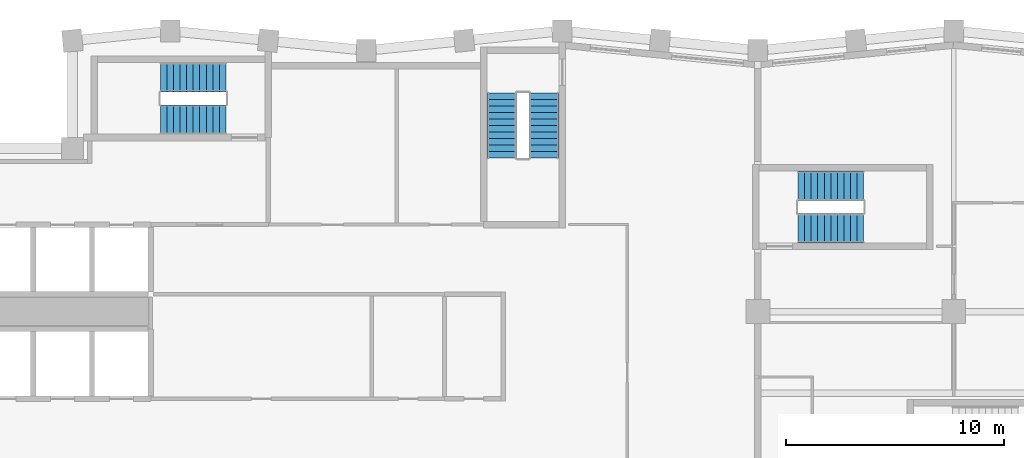
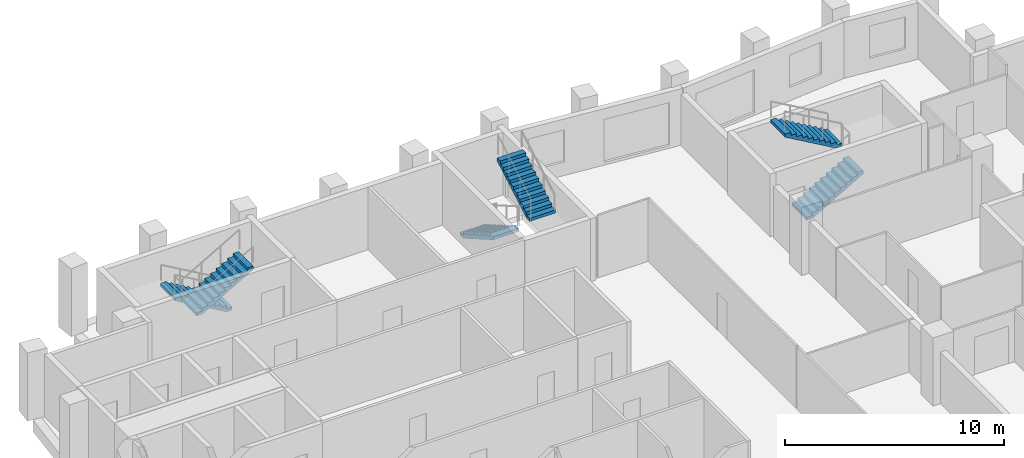
# One storey, part 7 of 8: 6 stair flights, 3 elements without a shape of their own.
"""IFC4 building model written with IfcOpenShell, lengths in metres."""

from ifc_helpers import new_model, si_unit, direction, frame, origin, place, context, subcontext, project, spatial, polyline, outline, extrude, material, type_object, element, aggregate, save


model = new_model("IFC4")

# Units and contexts
model_context = context("Model", 3, precision=1e-05, world=origin(), true_north=direction((0.0, 1.0)))
body_context = subcontext(model_context, "Body", "Model", "MODEL_VIEW")
ifc_project = project(units=[si_unit("LENGTHUNIT", "METRE"), si_unit("AREAUNIT", "SQUARE_METRE"), si_unit("VOLUMEUNIT", "CUBIC_METRE"), si_unit("PLANEANGLEUNIT", "RADIAN"), si_unit("MASSUNIT", "GRAM", prefix="KILO")], contexts=[model_context])

# Site, building, storey
site_placement = place(None, origin())
site = spatial("IfcSite", under=ifc_project, at=site_placement, CompositionType="ELEMENT")
building_placement = place(site_placement, origin())
building = spatial("IfcBuilding", under=site, at=building_placement, Name="Brondeck Convention Tower", CompositionType="ELEMENT")
storey_placement = place(building_placement, frame((0.0, 0.0, 210.199951171875)))
storey = spatial("IfcBuildingStorey", under=building, at=storey_placement, Name="L51", CompositionType="ELEMENT", Elevation=210.199951171875)

# Stair, stair flights
ifc_material = material(Name="Precast concrete C50/60", Category="concrete")
stair_type = type_object("IfcStairType", Name="Core stair 22 risers 172.73 mm riser 300 mm going 1350 wide", PredefinedType="HALF_TURN_STAIR", material=ifc_material)
stair_1_placement = place(storey_placement, origin())
stair_1 = element("IfcStair", 1, at=stair_1_placement, inside=storey, type_object=stair_type, Name="ST-2 L51 stair", PredefinedType="HALF_TURN_STAIR")
stair_flight_type = type_object("IfcStairFlightType", Name="Core stair flight 22 risers 172.73 mm riser 300 mm going 1350 wide", PredefinedType="STRAIGHT", material=ifc_material)
stair_flight_1_placement = place(storey_placement, frame((24.22509765625, 61.050048828125, 0.0), z_axis=(0.0, 0.0, 1.0), x_axis=(0.0, -1.0, 0.0)))
stair_flight_1 = element("IfcStairFlight", 2, at=stair_flight_1_placement, type_object=stair_flight_type, Name="ST-2 flight 1", NumberOfRisers=11, NumberOfTreads=10, PredefinedType="STRAIGHT", RiserHeight=0.172727273, TreadLength=0.3, context=body_context, shape_type="SweptSolid", body=[
    extrude(outline(polyline([(0.0, 0.0), (0.0, 0.172607421875), (0.300048828125, 0.172607421875), (0.300048828125, 0.345458984375), (0.60009765625, 0.345458984375), (0.60009765625, 0.51806640625), (0.89990234375, 0.51806640625), (0.89990234375, 0.69091796875), (1.199951171875, 0.69091796875), (1.199951171875, 0.863525390625), (1.5, 0.863525390625), (1.5, 1.036376953125), (1.800048828125, 1.036376953125), (1.800048828125, 1.208984375), (2.10009765625, 1.208984375), (2.10009765625, 1.3818359375), (2.39990234375, 1.3818359375), (2.39990234375, 1.554443359375), (2.699951171875, 1.554443359375), (2.699951171875, 1.727294921875), (3.0, 1.727294921875), (3.0, 1.89990234375), (3.0, 1.55419921875), (0.300537109375, 0.0), (0.0, 0.0)])), frame((0.0, 0.675048828125, 0.0), z_axis=(0.0, -1.0, 0.0), x_axis=(1.0, 0.0, 0.0)), (0.0, 0.0, 1.0), 1.35009765625),
])
stair_flight_2_placement = place(storey_placement, frame((26.175048828125, 58.050048828125, 1.900146484375), z_axis=(0.0, 0.0, 1.0), x_axis=(0.0, 1.0, 0.0)))
stair_flight_2 = element("IfcStairFlight", 3, at=stair_flight_2_placement, type_object=stair_flight_type, Name="ST-2 flight 2", NumberOfRisers=11, NumberOfTreads=10, PredefinedType="STRAIGHT", RiserHeight=0.172727273, TreadLength=0.3, context=body_context, shape_type="SweptSolid", body=[
    extrude(outline(polyline([(0.0, 0.0), (0.0, 0.172607421875), (0.300048828125, 0.172607421875), (0.300048828125, 0.345458984375), (0.60009765625, 0.345458984375), (0.60009765625, 0.51806640625), (0.89990234375, 0.51806640625), (0.89990234375, 0.69091796875), (1.199951171875, 0.69091796875), (1.199951171875, 0.863525390625), (1.5, 0.863525390625), (1.5, 1.036376953125), (1.800048828125, 1.036376953125), (1.800048828125, 1.208984375), (2.10009765625, 1.208984375), (2.10009765625, 1.3818359375), (2.39990234375, 1.3818359375), (2.39990234375, 1.554443359375), (2.699951171875, 1.554443359375), (2.699951171875, 1.727294921875), (3.0, 1.727294921875), (3.0, 1.89990234375), (3.0, 1.55419921875), (0.300537109375, 0.0), (0.0, 0.0)])), frame((0.0, 0.675048828125, 0.0), z_axis=(0.0, -1.0, 0.0), x_axis=(1.0, 0.0, 0.0)), (0.0, 0.0, 1.0), 1.35009765625),
])
aggregate(stair_1, [stair_flight_1, stair_flight_2])

stair_2_placement = place(storey_placement, origin())
stair_2 = element("IfcStair", 4, at=stair_2_placement, inside=storey, type_object=stair_type, Name="ST-3 L51 stair", PredefinedType="HALF_TURN_STAIR")
stair_flight_3_placement = place(storey_placement, frame((11.550048828125, 61.77490234375, 0.0), z_axis=(0.0, 0.0, 1.0), x_axis=(-1.0, 0.0, 0.0)))
stair_flight_3 = element("IfcStairFlight", 5, at=stair_flight_3_placement, type_object=stair_flight_type, Name="ST-3 flight 1", NumberOfRisers=11, NumberOfTreads=10, PredefinedType="STRAIGHT", RiserHeight=0.172727273, TreadLength=0.3, context=body_context, shape_type="SweptSolid", body=[
    extrude(outline(polyline([(0.0, 0.0), (0.0, 0.172607421875), (0.300048828125, 0.172607421875), (0.300048828125, 0.345458984375), (0.60009765625, 0.345458984375), (0.60009765625, 0.51806640625), (0.89990234375, 0.51806640625), (0.89990234375, 0.69091796875), (1.199951171875, 0.69091796875), (1.199951171875, 0.863525390625), (1.5, 0.863525390625), (1.5, 1.036376953125), (1.800048828125, 1.036376953125), (1.800048828125, 1.208984375), (2.10009765625, 1.208984375), (2.10009765625, 1.3818359375), (2.39990234375, 1.3818359375), (2.39990234375, 1.554443359375), (2.699951171875, 1.554443359375), (2.699951171875, 1.727294921875), (3.0, 1.727294921875), (3.0, 1.89990234375), (3.0, 1.55419921875), (0.300537109375, 0.0), (0.0, 0.0)])), frame((0.0, 0.675048828125, 0.0), z_axis=(0.0, -1.0, 0.0), x_axis=(1.0, 0.0, 0.0)), (0.0, 0.0, 1.0), 1.35009765625),
])
stair_flight_4_placement = place(storey_placement, frame((8.550048828125, 59.824951171875, 1.900146484375), z_axis=(0.0, 0.0, 1.0), x_axis=(1.0, 0.0, 0.0)))
stair_flight_4 = element("IfcStairFlight", 6, at=stair_flight_4_placement, type_object=stair_flight_type, Name="ST-3 flight 2", NumberOfRisers=11, NumberOfTreads=10, PredefinedType="STRAIGHT", RiserHeight=0.172727273, TreadLength=0.3, context=body_context, shape_type="SweptSolid", body=[
    extrude(outline(polyline([(0.0, 0.0), (0.0, 0.172607421875), (0.300048828125, 0.172607421875), (0.300048828125, 0.345458984375), (0.60009765625, 0.345458984375), (0.60009765625, 0.51806640625), (0.89990234375, 0.51806640625), (0.89990234375, 0.69091796875), (1.199951171875, 0.69091796875), (1.199951171875, 0.863525390625), (1.5, 0.863525390625), (1.5, 1.036376953125), (1.800048828125, 1.036376953125), (1.800048828125, 1.208984375), (2.10009765625, 1.208984375), (2.10009765625, 1.3818359375), (2.39990234375, 1.3818359375), (2.39990234375, 1.554443359375), (2.699951171875, 1.554443359375), (2.699951171875, 1.727294921875), (3.0, 1.727294921875), (3.0, 1.89990234375), (3.0, 1.55419921875), (0.300537109375, 0.0), (0.0, 0.0)])), frame((0.0, 0.675048828125, 0.0), z_axis=(0.0, -1.0, 0.0), x_axis=(1.0, 0.0, 0.0)), (0.0, 0.0, 1.0), 1.35009765625),
])
aggregate(stair_2, [stair_flight_3, stair_flight_4])

stair_3_placement = place(storey_placement, origin())
stair_3 = element("IfcStair", 7, at=stair_3_placement, inside=storey, type_object=stair_type, Name="ST-AE L51 stair", PredefinedType="HALF_TURN_STAIR")
stair_flight_5_placement = place(storey_placement, frame((37.85009765625, 54.824951171875, 0.0), z_axis=(0.0, 0.0, 1.0), x_axis=(1.0, 0.0, 0.0)))
stair_flight_5 = element("IfcStairFlight", 8, at=stair_flight_5_placement, type_object=stair_flight_type, Name="ST-AE flight 1", NumberOfRisers=11, NumberOfTreads=10, PredefinedType="STRAIGHT", RiserHeight=0.172727273, TreadLength=0.3, context=body_context, shape_type="SweptSolid", body=[
    extrude(outline(polyline([(0.0, 0.0), (0.0, 0.172607421875), (0.300048828125, 0.172607421875), (0.300048828125, 0.345458984375), (0.60009765625, 0.345458984375), (0.60009765625, 0.51806640625), (0.89990234375, 0.51806640625), (0.89990234375, 0.69091796875), (1.199951171875, 0.69091796875), (1.199951171875, 0.863525390625), (1.5, 0.863525390625), (1.5, 1.036376953125), (1.800048828125, 1.036376953125), (1.800048828125, 1.208984375), (2.10009765625, 1.208984375), (2.10009765625, 1.3818359375), (2.39990234375, 1.3818359375), (2.39990234375, 1.554443359375), (2.699951171875, 1.554443359375), (2.699951171875, 1.727294921875), (3.0, 1.727294921875), (3.0, 1.89990234375), (3.0, 1.55419921875), (0.300537109375, 0.0), (0.0, 0.0)])), frame((0.0, 0.675048828125, 0.0), z_axis=(0.0, -1.0, 0.0), x_axis=(1.0, 0.0, 0.0)), (0.0, 0.0, 1.0), 1.35009765625),
])
stair_flight_6_placement = place(storey_placement, frame((40.85009765625, 56.77490234375, 1.900146484375), z_axis=(0.0, 0.0, 1.0), x_axis=(-1.0, 0.0, 0.0)))
stair_flight_6 = element("IfcStairFlight", 9, at=stair_flight_6_placement, type_object=stair_flight_type, Name="ST-AE flight 2", NumberOfRisers=11, NumberOfTreads=10, PredefinedType="STRAIGHT", RiserHeight=0.172727273, TreadLength=0.3, context=body_context, shape_type="SweptSolid", body=[
    extrude(outline(polyline([(0.0, 0.0), (0.0, 0.172607421875), (0.300048828125, 0.172607421875), (0.300048828125, 0.345458984375), (0.60009765625, 0.345458984375), (0.60009765625, 0.51806640625), (0.89990234375, 0.51806640625), (0.89990234375, 0.69091796875), (1.199951171875, 0.69091796875), (1.199951171875, 0.863525390625), (1.5, 0.863525390625), (1.5, 1.036376953125), (1.800048828125, 1.036376953125), (1.800048828125, 1.208984375), (2.10009765625, 1.208984375), (2.10009765625, 1.3818359375), (2.39990234375, 1.3818359375), (2.39990234375, 1.554443359375), (2.699951171875, 1.554443359375), (2.699951171875, 1.727294921875), (3.0, 1.727294921875), (3.0, 1.89990234375), (3.0, 1.55419921875), (0.300537109375, 0.0), (0.0, 0.0)])), frame((0.0, 0.675048828125, 0.0), z_axis=(0.0, -1.0, 0.0), x_axis=(1.0, 0.0, 0.0)), (0.0, 0.0, 1.0), 1.35009765625),
])
aggregate(stair_3, [stair_flight_5, stair_flight_6])

save(model, "model.ifc")
